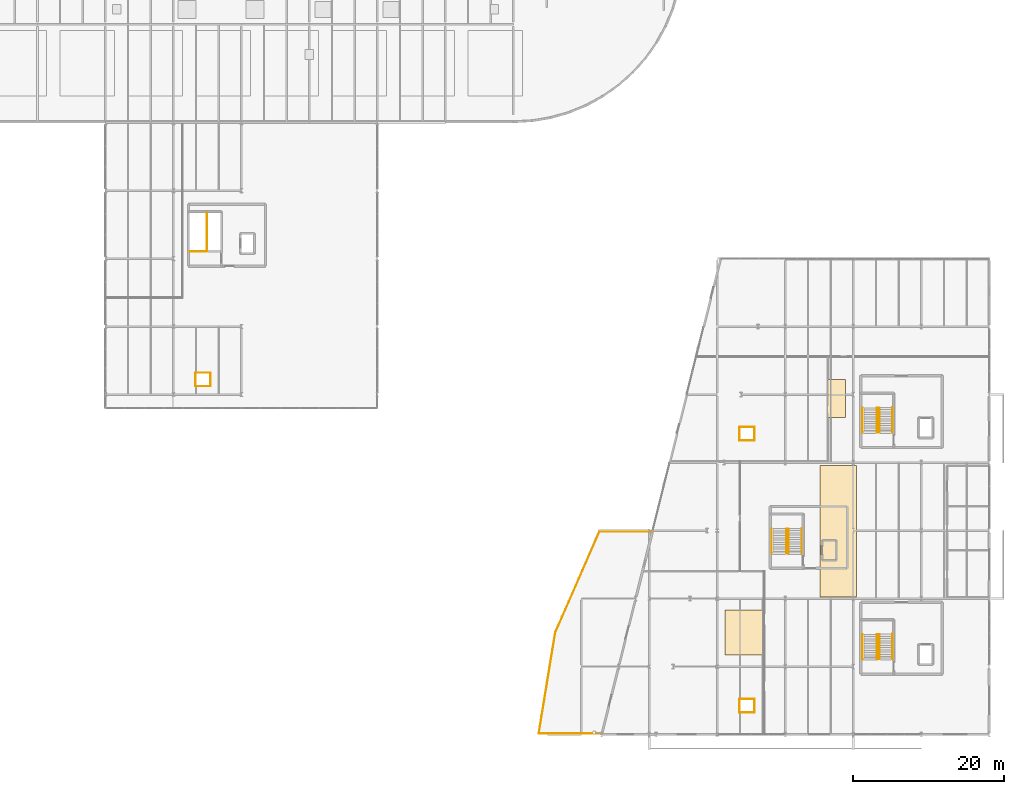
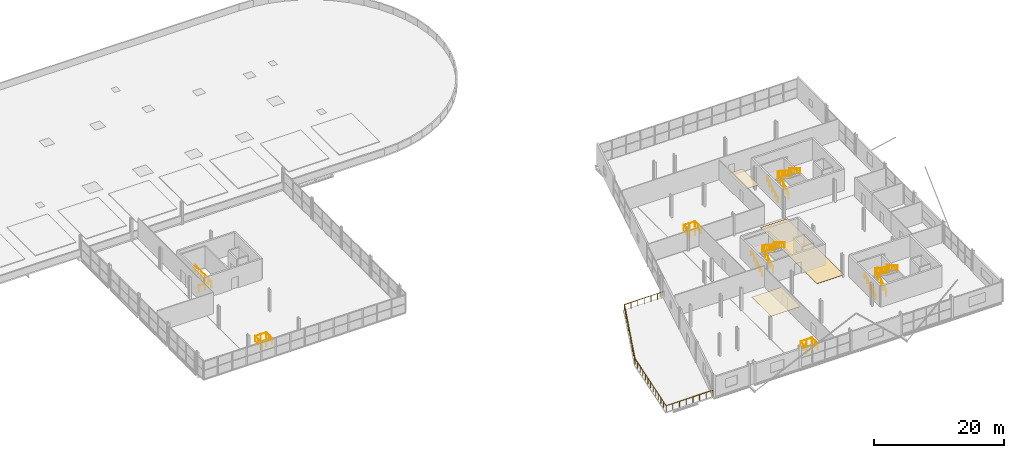
# One storey, part 59 of 59: 17 railings, 3 coverings.
"""IFC4 building model written with IfcOpenShell, lengths in metres."""

from ifc_helpers import new_model, si_unit, direction, frame, origin, origin_2d, place, context, subcontext, project, spatial, polyline, circle, outline, extrude, material, layer, layer_set, type_object, element, save


model = new_model("IFC4")

# Units and contexts
model_context = context("Model", 3, precision=1e-05, world=origin(), true_north=direction((0.0, 1.0)))
body_context = subcontext(model_context, "Body", "Model", "MODEL_VIEW")
ifc_project = project(units=[si_unit("LENGTHUNIT", "METRE"), si_unit("AREAUNIT", "SQUARE_METRE"), si_unit("VOLUMEUNIT", "CUBIC_METRE"), si_unit("PLANEANGLEUNIT", "RADIAN"), si_unit("MASSUNIT", "GRAM", prefix="KILO")], contexts=[model_context])

# Site, building, storey
site_placement = place(None, origin())
site = spatial("IfcSite", under=ifc_project, at=site_placement, CompositionType="ELEMENT")
building_placement = place(site_placement, origin())
building = spatial("IfcBuilding", under=site, at=building_placement, Name="Deido Ridge Mobility Hub", CompositionType="ELEMENT")
storey_placement = place(building_placement, frame((0.0, 0.0, 21.0)))
storey = spatial("IfcBuildingStorey", under=building, at=storey_placement, Name="L05", CompositionType="ELEMENT", Elevation=21.0)

# Coverings
ifc_material_1 = material(Name="Powder-coated aluminium cladding EN AW-3003", Category="aluminium")
ifc_layer_1 = layer(ifc_material_1, 0.02001953125, Name="Powder-coated aluminium cladding EN AW-3003")
ifc_layer_set_1 = layer_set([ifc_layer_1], Name="Powder-coated aluminium cladding EN AW-3003")
covering_type_1 = type_object("IfcCoveringType", Name="COV-CEIL-ALU-20", PredefinedType="CEILING", material=ifc_layer_set_1)
covering_1_placement = place(storey_placement, frame((0.0, 0.0, 2.949951171875)))
element("IfcCovering", 1, at=covering_1_placement, inside=storey, type_object=covering_type_1, Name="Acoustic suspended ceiling CL1 (L05)", PredefinedType="CEILING", context=body_context, shape_type="SweptSolid", body=[
    extrude(outline(polyline([(145.0, 10.5), (150.199951171875, 10.5), (150.199951171875, 16.5), (145.0, 16.5), (145.0, 10.5)])), origin(), (0.0, 0.0, 1.0), 0.02001953125),
])
covering_2_placement = place(storey_placement, frame((0.0, 0.0, 2.949951171875)))
element("IfcCovering", 2, at=covering_2_placement, inside=storey, type_object=covering_type_1, Name="Corridor acoustic ceiling CL1 (L05)", PredefinedType="CEILING", context=body_context, shape_type="SweptSolid", body=[
    extrude(outline(polyline([(158.60009765625, 42.0), (161.0, 42.0), (161.0, 47.0), (158.60009765625, 47.0), (158.60009765625, 42.0)])), origin(), (0.0, 0.0, 1.0), 0.02001953125),
])
ifc_material_2 = material(Name="Epoxy terrazzo floor finish")
ifc_layer_2 = layer(ifc_material_2, 0.02001953125, Name="Epoxy terrazzo floor finish")
ifc_layer_set_2 = layer_set([ifc_layer_2], Name="Epoxy terrazzo floor finish")
covering_type_2 = type_object("IfcCoveringType", Name="COV-FLR-TER-20", PredefinedType="FLOORING", material=ifc_layer_set_2)
covering_3_placement = place(storey_placement, origin())
element("IfcCovering", 3, at=covering_3_placement, inside=storey, type_object=covering_type_2, Name="Epoxy terrazzo corridor flooring FC1 (L05)", PredefinedType="FLOORING", context=body_context, shape_type="SweptSolid", body=[
    extrude(outline(polyline([(157.60009765625, 18.199951171875), (162.39990234375, 18.199951171875), (162.39990234375, 35.60009765625), (157.60009765625, 35.60009765625), (157.60009765625, 18.199951171875)])), origin(), (0.0, 0.0, 1.0), 0.02001953125),
])

# Railings
ifc_material_3 = material(Name="Stainless steel 316", Category="steel")
railing_type_1 = type_object("IfcRailingType", Name="RL-BAL-GLZ-1120", PredefinedType="BALUSTRADE", material=ifc_material_3)
railing_1_placement = place(storey_placement, frame((128.699951171875, 0.14990234375, 0.0)))
element("IfcRailing", 4, at=railing_1_placement, inside=storey, type_object=railing_type_1, Name="L05 angular prow terrace balustrade BL1", PredefinedType="BALUSTRADE", context=body_context, shape_type="SweptSolid", body=[
    extrude(circle(Radius=0.02392578125, at=origin_2d()), frame((0.0, 0.0, 1.09619140625), z_axis=(-1.0, 0.0, 0.0), x_axis=(0.0, -1.0, 0.0)), (0.0, 0.0, 1.0), 8.320068359375),
    extrude(circle(Radius=0.02392578125, at=origin_2d()), frame((-8.320068359375, 0.0, 1.09619140625), z_axis=(0.160451905392, 0.98704365965, 0.0), x_axis=(-0.98704365965, 0.160451905392, 0.0)), (0.0, 0.0, 1.0), 13.525390625),
    extrude(circle(Radius=0.02392578125, at=origin_2d()), frame((-6.14990234375, 13.35009765625, 1.09619140625), z_axis=(0.401347739005, 0.915925757033, 0.0), x_axis=(-0.915925757033, 0.401347739005, 0.0)), (0.0, 0.0, 1.0), 14.575439453125),
    extrude(circle(Radius=0.02392578125, at=origin_2d()), frame((-0.300048828125, 26.7001953125, 1.09619140625), z_axis=(1.0, 0.0, 0.0), x_axis=(0.0, 1.0, 0.0)), (0.0, 0.0, 1.0), 7.050048828125),
    extrude(circle(Radius=0.02099609375, at=origin_2d()), origin(), (0.0, 0.0, 1.0), 1.072021484375),
    extrude(circle(Radius=0.02099609375, at=origin_2d()), frame((-1.1884765625, 0.0, 0.0)), (0.0, 0.0, 1.0), 1.072021484375),
    extrude(circle(Radius=0.02099609375, at=origin_2d()), frame((-2.377197265625, 0.0, 0.0)), (0.0, 0.0, 1.0), 1.072021484375),
    extrude(circle(Radius=0.02099609375, at=origin_2d()), frame((-3.565673828125, 0.0, 0.0)), (0.0, 0.0, 1.0), 1.072021484375),
    extrude(circle(Radius=0.02099609375, at=origin_2d()), frame((-4.75439453125, 0.0, 0.0)), (0.0, 0.0, 1.0), 1.072021484375),
    extrude(circle(Radius=0.02099609375, at=origin_2d()), frame((-5.94287109375, 0.0, 0.0)), (0.0, 0.0, 1.0), 1.072021484375),
    extrude(circle(Radius=0.02099609375, at=origin_2d()), frame((-7.131591796875, 0.0, 0.0)), (0.0, 0.0, 1.0), 1.072021484375),
    extrude(circle(Radius=0.02099609375, at=origin_2d()), frame((-8.320068359375, 0.0, 0.0)), (0.0, 0.0, 1.0), 1.072021484375),
    extrude(circle(Radius=0.02099609375, at=origin_2d()), frame((-8.13916015625, 1.112548828125, 0.0)), (0.0, 0.0, 1.0), 1.072021484375),
    extrude(circle(Radius=0.02099609375, at=origin_2d()), frame((-7.95849609375, 2.22509765625, 0.0)), (0.0, 0.0, 1.0), 1.072021484375),
    extrude(circle(Radius=0.02099609375, at=origin_2d()), frame((-7.777587890625, 3.33740234375, 0.0)), (0.0, 0.0, 1.0), 1.072021484375),
    extrude(circle(Radius=0.02099609375, at=origin_2d()), frame((-7.5966796875, 4.449951171875, 0.0)), (0.0, 0.0, 1.0), 1.072021484375),
    extrude(circle(Radius=0.02099609375, at=origin_2d()), frame((-7.415771484375, 5.5625, 0.0)), (0.0, 0.0, 1.0), 1.072021484375),
    extrude(circle(Radius=0.02099609375, at=origin_2d()), frame((-7.23486328125, 6.675048828125, 0.0)), (0.0, 0.0, 1.0), 1.072021484375),
    extrude(circle(Radius=0.02099609375, at=origin_2d()), frame((-7.05419921875, 7.78759765625, 0.0)), (0.0, 0.0, 1.0), 1.072021484375),
    extrude(circle(Radius=0.02099609375, at=origin_2d()), frame((-6.873291015625, 8.900146484375, 0.0)), (0.0, 0.0, 1.0), 1.072021484375),
    extrude(circle(Radius=0.02099609375, at=origin_2d()), frame((-6.6923828125, 10.0126953125, 0.0)), (0.0, 0.0, 1.0), 1.072021484375),
    extrude(circle(Radius=0.02099609375, at=origin_2d()), frame((-6.51171875, 11.125, 0.0)), (0.0, 0.0, 1.0), 1.072021484375),
    extrude(circle(Radius=0.02099609375, at=origin_2d()), frame((-6.330810546875, 12.237548828125, 0.0)), (0.0, 0.0, 1.0), 1.072021484375),
    extrude(circle(Radius=0.02099609375, at=origin_2d()), frame((-6.14990234375, 13.35009765625, 0.0)), (0.0, 0.0, 1.0), 1.072021484375),
    extrude(circle(Radius=0.02099609375, at=origin_2d()), frame((-5.699951171875, 14.376953125, 0.0)), (0.0, 0.0, 1.0), 1.072021484375),
    extrude(circle(Radius=0.02099609375, at=origin_2d()), frame((-5.25, 15.404052734375, 0.0)), (0.0, 0.0, 1.0), 1.072021484375),
    extrude(circle(Radius=0.02099609375, at=origin_2d()), frame((-4.800048828125, 16.430908203125, 0.0)), (0.0, 0.0, 1.0), 1.072021484375),
    extrude(circle(Radius=0.02099609375, at=origin_2d()), frame((-4.349853515625, 17.457763671875, 0.0)), (0.0, 0.0, 1.0), 1.072021484375),
    extrude(circle(Radius=0.02099609375, at=origin_2d()), frame((-3.89990234375, 18.48486328125, 0.0)), (0.0, 0.0, 1.0), 1.072021484375),
    extrude(circle(Radius=0.02099609375, at=origin_2d()), frame((-3.449951171875, 19.51171875, 0.0)), (0.0, 0.0, 1.0), 1.072021484375),
    extrude(circle(Radius=0.02099609375, at=origin_2d()), frame((-3.0, 20.53857421875, 0.0)), (0.0, 0.0, 1.0), 1.072021484375),
    extrude(circle(Radius=0.02099609375, at=origin_2d()), frame((-2.550048828125, 21.5654296875, 0.0)), (0.0, 0.0, 1.0), 1.072021484375),
    extrude(circle(Radius=0.02099609375, at=origin_2d()), frame((-2.10009765625, 22.592529296875, 0.0)), (0.0, 0.0, 1.0), 1.072021484375),
    extrude(circle(Radius=0.02099609375, at=origin_2d()), frame((-1.64990234375, 23.619384765625, 0.0)), (0.0, 0.0, 1.0), 1.072021484375),
    extrude(circle(Radius=0.02099609375, at=origin_2d()), frame((-1.199951171875, 24.646240234375, 0.0)), (0.0, 0.0, 1.0), 1.072021484375),
    extrude(circle(Radius=0.02099609375, at=origin_2d()), frame((-0.75, 25.67333984375, 0.0)), (0.0, 0.0, 1.0), 1.072021484375),
    extrude(circle(Radius=0.02099609375, at=origin_2d()), frame((-0.300048828125, 26.7001953125, 0.0)), (0.0, 0.0, 1.0), 1.072021484375),
    extrude(circle(Radius=0.02099609375, at=origin_2d()), frame((0.875, 26.7001953125, 0.0)), (0.0, 0.0, 1.0), 1.072021484375),
    extrude(circle(Radius=0.02099609375, at=origin_2d()), frame((2.050048828125, 26.7001953125, 0.0)), (0.0, 0.0, 1.0), 1.072021484375),
    extrude(circle(Radius=0.02099609375, at=origin_2d()), frame((3.22509765625, 26.7001953125, 0.0)), (0.0, 0.0, 1.0), 1.072021484375),
    extrude(circle(Radius=0.02099609375, at=origin_2d()), frame((4.39990234375, 26.7001953125, 0.0)), (0.0, 0.0, 1.0), 1.072021484375),
    extrude(circle(Radius=0.02099609375, at=origin_2d()), frame((5.574951171875, 26.7001953125, 0.0)), (0.0, 0.0, 1.0), 1.072021484375),
    extrude(circle(Radius=0.02099609375, at=origin_2d()), frame((6.75, 26.7001953125, 0.0)), (0.0, 0.0, 1.0), 1.072021484375),
])
ifc_material_4 = material(Name="Galvanised steel work", Category="steel")
railing_type_2 = type_object("IfcRailingType", Name="RL-GRD-EXT-1150", PredefinedType="GUARDRAIL", material=ifc_material_4)
railing_2_placement = place(storey_placement, frame((74.925048828125, 46.10009765625, 0.0)))
element("IfcRailing", 5, at=railing_2_placement, inside=storey, type_object=railing_type_2, Name="Service riser shaft guard (L05) A", PredefinedType="GUARDRAIL", context=body_context, shape_type="SweptSolid", body=[
    extrude(circle(Radius=0.02392578125, at=origin_2d()), frame((0.0, 0.0, 1.1259765625), z_axis=(1.0, 0.0, 0.0), x_axis=(0.0, 1.0, 0.0)), (0.0, 0.0, 1.0), 2.0),
    extrude(circle(Radius=0.02392578125, at=origin_2d()), frame((2.0, 0.0, 1.1259765625), z_axis=(0.0, 1.0, 0.0), x_axis=(-1.0, 0.0, 0.0)), (0.0, 0.0, 1.0), 1.739990234375),
    extrude(circle(Radius=0.02099609375, at=origin_2d()), origin(), (0.0, 0.0, 1.0), 1.101806640625),
    extrude(circle(Radius=0.02099609375, at=origin_2d()), frame((1.0, 0.0, 0.0)), (0.0, 0.0, 1.0), 1.101806640625),
    extrude(circle(Radius=0.02099609375, at=origin_2d()), frame((2.0, 0.0, 0.0)), (0.0, 0.0, 1.0), 1.101806640625),
    extrude(circle(Radius=0.02099609375, at=origin_2d()), frame((2.0, 0.8701171875, 0.0)), (0.0, 0.0, 1.0), 1.101806640625),
    extrude(circle(Radius=0.02099609375, at=origin_2d()), frame((2.0, 1.739990234375, 0.0)), (0.0, 0.0, 1.0), 1.101806640625),
])
railing_3_placement = place(storey_placement, frame((76.925048828125, 47.89990234375, 0.0)))
element("IfcRailing", 6, at=railing_3_placement, inside=storey, type_object=railing_type_2, Name="Service riser shaft guard (L05) B", PredefinedType="GUARDRAIL", context=body_context, shape_type="SweptSolid", body=[
    extrude(circle(Radius=0.02392578125, at=origin_2d()), frame((0.0, 0.0, 1.1259765625), z_axis=(-1.0, 0.0, 0.0), x_axis=(0.0, -1.0, 0.0)), (0.0, 0.0, 1.0), 2.0),
    extrude(circle(Radius=0.02392578125, at=origin_2d()), frame((-2.0, 0.0, 1.1259765625), z_axis=(0.0, -1.0, 0.0), x_axis=(1.0, 0.0, 0.0)), (0.0, 0.0, 1.0), 1.739990234375),
    extrude(circle(Radius=0.02099609375, at=origin_2d()), origin(), (0.0, 0.0, 1.0), 1.101806640625),
    extrude(circle(Radius=0.02099609375, at=origin_2d()), frame((-1.0, 0.0, 0.0)), (0.0, 0.0, 1.0), 1.101806640625),
    extrude(circle(Radius=0.02099609375, at=origin_2d()), frame((-2.0, 0.0, 0.0)), (0.0, 0.0, 1.0), 1.101806640625),
    extrude(circle(Radius=0.02099609375, at=origin_2d()), frame((-2.0, -0.8701171875, 0.0)), (0.0, 0.0, 1.0), 1.101806640625),
    extrude(circle(Radius=0.02099609375, at=origin_2d()), frame((-2.0, -1.739990234375, 0.0)), (0.0, 0.0, 1.0), 1.101806640625),
])
railing_4_placement = place(storey_placement, frame((146.925048828125, 2.89990234375, 0.0)))
element("IfcRailing", 7, at=railing_4_placement, inside=storey, type_object=railing_type_2, Name="Service riser shaft guard (L05) A", PredefinedType="GUARDRAIL", context=body_context, shape_type="SweptSolid", body=[
    extrude(circle(Radius=0.02392578125, at=origin_2d()), frame((0.0, 0.0, 1.1259765625), z_axis=(1.0, 0.0, 0.0), x_axis=(0.0, 1.0, 0.0)), (0.0, 0.0, 1.0), 2.0),
    extrude(circle(Radius=0.02392578125, at=origin_2d()), frame((2.0, 0.0, 1.1259765625), z_axis=(0.0, 1.0, 0.0), x_axis=(-1.0, 0.0, 0.0)), (0.0, 0.0, 1.0), 1.739990234375),
    extrude(circle(Radius=0.02099609375, at=origin_2d()), origin(), (0.0, 0.0, 1.0), 1.101806640625),
    extrude(circle(Radius=0.02099609375, at=origin_2d()), frame((1.0, 0.0, 0.0)), (0.0, 0.0, 1.0), 1.101806640625),
    extrude(circle(Radius=0.02099609375, at=origin_2d()), frame((2.0, 0.0, 0.0)), (0.0, 0.0, 1.0), 1.101806640625),
    extrude(circle(Radius=0.02099609375, at=origin_2d()), frame((2.0, 0.8701171875, 0.0)), (0.0, 0.0, 1.0), 1.101806640625),
    extrude(circle(Radius=0.02099609375, at=origin_2d()), frame((2.0, 1.739990234375, 0.0)), (0.0, 0.0, 1.0), 1.101806640625),
])
railing_5_placement = place(storey_placement, frame((148.925048828125, 4.699951171875, 0.0)))
element("IfcRailing", 8, at=railing_5_placement, inside=storey, type_object=railing_type_2, Name="Service riser shaft guard (L05) B", PredefinedType="GUARDRAIL", context=body_context, shape_type="SweptSolid", body=[
    extrude(circle(Radius=0.02392578125, at=origin_2d()), frame((0.0, 0.0, 1.1259765625), z_axis=(-1.0, 0.0, 0.0), x_axis=(0.0, -1.0, 0.0)), (0.0, 0.0, 1.0), 2.0),
    extrude(circle(Radius=0.02392578125, at=origin_2d()), frame((-2.0, 0.0, 1.1259765625), z_axis=(0.0, -1.0, 0.0), x_axis=(1.0, 0.0, 0.0)), (0.0, 0.0, 1.0), 1.739990234375),
    extrude(circle(Radius=0.02099609375, at=origin_2d()), origin(), (0.0, 0.0, 1.0), 1.101806640625),
    extrude(circle(Radius=0.02099609375, at=origin_2d()), frame((-1.0, 0.0, 0.0)), (0.0, 0.0, 1.0), 1.101806640625),
    extrude(circle(Radius=0.02099609375, at=origin_2d()), frame((-2.0, 0.0, 0.0)), (0.0, 0.0, 1.0), 1.101806640625),
    extrude(circle(Radius=0.02099609375, at=origin_2d()), frame((-2.0, -0.8701171875, 0.0)), (0.0, 0.0, 1.0), 1.101806640625),
    extrude(circle(Radius=0.02099609375, at=origin_2d()), frame((-2.0, -1.739990234375, 0.0)), (0.0, 0.0, 1.0), 1.101806640625),
])
railing_6_placement = place(storey_placement, frame((146.925048828125, 38.89990234375, 0.0)))
element("IfcRailing", 9, at=railing_6_placement, inside=storey, type_object=railing_type_2, Name="Service riser shaft guard (L05) A", PredefinedType="GUARDRAIL", context=body_context, shape_type="SweptSolid", body=[
    extrude(circle(Radius=0.02392578125, at=origin_2d()), frame((0.0, 0.0, 1.1259765625), z_axis=(1.0, 0.0, 0.0), x_axis=(0.0, 1.0, 0.0)), (0.0, 0.0, 1.0), 2.0),
    extrude(circle(Radius=0.02392578125, at=origin_2d()), frame((2.0, 0.0, 1.1259765625), z_axis=(0.0, 1.0, 0.0), x_axis=(-1.0, 0.0, 0.0)), (0.0, 0.0, 1.0), 1.739990234375),
    extrude(circle(Radius=0.02099609375, at=origin_2d()), origin(), (0.0, 0.0, 1.0), 1.101806640625),
    extrude(circle(Radius=0.02099609375, at=origin_2d()), frame((1.0, 0.0, 0.0)), (0.0, 0.0, 1.0), 1.101806640625),
    extrude(circle(Radius=0.02099609375, at=origin_2d()), frame((2.0, 0.0, 0.0)), (0.0, 0.0, 1.0), 1.101806640625),
    extrude(circle(Radius=0.02099609375, at=origin_2d()), frame((2.0, 0.8701171875, 0.0)), (0.0, 0.0, 1.0), 1.101806640625),
    extrude(circle(Radius=0.02099609375, at=origin_2d()), frame((2.0, 1.739990234375, 0.0)), (0.0, 0.0, 1.0), 1.101806640625),
])
railing_7_placement = place(storey_placement, frame((148.925048828125, 40.699951171875, 0.0)))
element("IfcRailing", 10, at=railing_7_placement, inside=storey, type_object=railing_type_2, Name="Service riser shaft guard (L05) B", PredefinedType="GUARDRAIL", context=body_context, shape_type="SweptSolid", body=[
    extrude(circle(Radius=0.02392578125, at=origin_2d()), frame((0.0, 0.0, 1.1259765625), z_axis=(-1.0, 0.0, 0.0), x_axis=(0.0, -1.0, 0.0)), (0.0, 0.0, 1.0), 2.0),
    extrude(circle(Radius=0.02392578125, at=origin_2d()), frame((-2.0, 0.0, 1.1259765625), z_axis=(0.0, -1.0, 0.0), x_axis=(1.0, 0.0, 0.0)), (0.0, 0.0, 1.0), 1.739990234375),
    extrude(circle(Radius=0.02099609375, at=origin_2d()), origin(), (0.0, 0.0, 1.0), 1.101806640625),
    extrude(circle(Radius=0.02099609375, at=origin_2d()), frame((-1.0, 0.0, 0.0)), (0.0, 0.0, 1.0), 1.101806640625),
    extrude(circle(Radius=0.02099609375, at=origin_2d()), frame((-2.0, 0.0, 0.0)), (0.0, 0.0, 1.0), 1.101806640625),
    extrude(circle(Radius=0.02099609375, at=origin_2d()), frame((-2.0, -0.8701171875, 0.0)), (0.0, 0.0, 1.0), 1.101806640625),
    extrude(circle(Radius=0.02099609375, at=origin_2d()), frame((-2.0, -1.739990234375, 0.0)), (0.0, 0.0, 1.0), 1.101806640625),
])
railing_type_3 = type_object("IfcRailingType", Name="RL-STAIR-GRD-1150", PredefinedType="GUARDRAIL", material=ifc_material_4)
railing_8_placement = place(storey_placement, frame((165.14990234375, 9.949951171875, 0.175048828125)))
element("IfcRailing", 11, at=railing_8_placement, inside=storey, type_object=railing_type_3, Name="ST1 inner well guard (L05)", PredefinedType="GUARDRAIL", context=body_context, shape_type="SweptSolid", body=[
    extrude(circle(Radius=0.02392578125, at=origin_2d()), frame((0.0, 0.0, 1.1259765625), z_axis=(0.0, 0.863776583165, 0.503874998761), x_axis=(-1.0, 0.0, 0.0)), (0.0, 0.0, 1.0), 3.820556640625),
    extrude(circle(Radius=0.02392578125, at=origin_2d()), frame((0.0, 3.300048828125, 3.05078125), z_axis=(1.0, 0.0, 0.0), x_axis=(0.0, 1.0, 0.0)), (0.0, 0.0, 1.0), 0.300048828125),
    extrude(circle(Radius=0.02392578125, at=origin_2d()), frame((0.300048828125, 3.300048828125, 3.05078125), z_axis=(0.0, -0.839933924917, 0.542688678501), x_axis=(1.0, 0.0, 0.0)), (0.0, 0.0, 1.0), 3.869384765625),
    extrude(circle(Radius=0.02099609375, at=origin_2d()), origin(), (0.0, 0.0, 1.0), 1.101806640625),
    extrude(circle(Radius=0.02099609375, at=origin_2d()), frame((0.0, 0.824951171875, 0.481201171875)), (0.0, 0.0, 1.0), 1.101806640625),
    extrude(circle(Radius=0.02099609375, at=origin_2d()), frame((0.0, 1.64990234375, 0.96240234375)), (0.0, 0.0, 1.0), 1.101806640625),
    extrude(circle(Radius=0.02099609375, at=origin_2d()), frame((0.0, 2.47509765625, 1.44384765625)), (0.0, 0.0, 1.0), 1.101806640625),
    extrude(circle(Radius=0.02099609375, at=origin_2d()), frame((0.0, 3.300048828125, 1.925048828125)), (0.0, 0.0, 1.0), 1.101806640625),
    extrude(circle(Radius=0.02099609375, at=origin_2d()), frame((0.300048828125, 3.300048828125, 1.925048828125)), (0.0, 0.0, 1.0), 1.101806640625),
    extrude(circle(Radius=0.02099609375, at=origin_2d()), frame((0.300048828125, 2.487548828125, 2.449951171875)), (0.0, 0.0, 1.0), 1.101806640625),
    extrude(circle(Radius=0.02099609375, at=origin_2d()), frame((0.300048828125, 1.675048828125, 2.97509765625)), (0.0, 0.0, 1.0), 1.101806640625),
    extrude(circle(Radius=0.02099609375, at=origin_2d()), frame((0.300048828125, 0.862548828125, 3.5)), (0.0, 0.0, 1.0), 1.101806640625),
    extrude(circle(Radius=0.02099609375, at=origin_2d()), frame((0.300048828125, 0.050048828125, 4.02490234375)), (0.0, 0.0, 1.0), 1.101806640625),
])
railing_9_placement = place(storey_placement, frame((165.14990234375, 39.949951171875, 0.175048828125)))
element("IfcRailing", 12, at=railing_9_placement, inside=storey, type_object=railing_type_3, Name="ST2 inner well guard (L05)", PredefinedType="GUARDRAIL", context=body_context, shape_type="SweptSolid", body=[
    extrude(circle(Radius=0.02392578125, at=origin_2d()), frame((0.0, 0.0, 1.1259765625), z_axis=(0.0, 0.863776583165, 0.503874998761), x_axis=(-1.0, 0.0, 0.0)), (0.0, 0.0, 1.0), 3.820556640625),
    extrude(circle(Radius=0.02392578125, at=origin_2d()), frame((0.0, 3.300048828125, 3.05078125), z_axis=(1.0, 0.0, 0.0), x_axis=(0.0, 1.0, 0.0)), (0.0, 0.0, 1.0), 0.300048828125),
    extrude(circle(Radius=0.02392578125, at=origin_2d()), frame((0.300048828125, 3.300048828125, 3.05078125), z_axis=(0.0, -0.839933924917, 0.542688678501), x_axis=(1.0, 0.0, 0.0)), (0.0, 0.0, 1.0), 3.869384765625),
    extrude(circle(Radius=0.02099609375, at=origin_2d()), origin(), (0.0, 0.0, 1.0), 1.101806640625),
    extrude(circle(Radius=0.02099609375, at=origin_2d()), frame((0.0, 0.824951171875, 0.481201171875)), (0.0, 0.0, 1.0), 1.101806640625),
    extrude(circle(Radius=0.02099609375, at=origin_2d()), frame((0.0, 1.64990234375, 0.96240234375)), (0.0, 0.0, 1.0), 1.101806640625),
    extrude(circle(Radius=0.02099609375, at=origin_2d()), frame((0.0, 2.47509765625, 1.44384765625)), (0.0, 0.0, 1.0), 1.101806640625),
    extrude(circle(Radius=0.02099609375, at=origin_2d()), frame((0.0, 3.300048828125, 1.925048828125)), (0.0, 0.0, 1.0), 1.101806640625),
    extrude(circle(Radius=0.02099609375, at=origin_2d()), frame((0.300048828125, 3.300048828125, 1.925048828125)), (0.0, 0.0, 1.0), 1.101806640625),
    extrude(circle(Radius=0.02099609375, at=origin_2d()), frame((0.300048828125, 2.487548828125, 2.449951171875)), (0.0, 0.0, 1.0), 1.101806640625),
    extrude(circle(Radius=0.02099609375, at=origin_2d()), frame((0.300048828125, 1.675048828125, 2.97509765625)), (0.0, 0.0, 1.0), 1.101806640625),
    extrude(circle(Radius=0.02099609375, at=origin_2d()), frame((0.300048828125, 0.862548828125, 3.5)), (0.0, 0.0, 1.0), 1.101806640625),
    extrude(circle(Radius=0.02099609375, at=origin_2d()), frame((0.300048828125, 0.050048828125, 4.02490234375)), (0.0, 0.0, 1.0), 1.101806640625),
])
railing_10_placement = place(storey_placement, frame((153.14990234375, 23.949951171875, 0.175048828125)))
element("IfcRailing", 13, at=railing_10_placement, inside=storey, type_object=railing_type_3, Name="ST3 inner well guard (L05)", PredefinedType="GUARDRAIL", context=body_context, shape_type="SweptSolid", body=[
    extrude(circle(Radius=0.02392578125, at=origin_2d()), frame((0.0, 0.0, 1.1259765625), z_axis=(0.0, 0.863776583165, 0.503874998761), x_axis=(-1.0, 0.0, 0.0)), (0.0, 0.0, 1.0), 3.820556640625),
    extrude(circle(Radius=0.02392578125, at=origin_2d()), frame((0.0, 3.300048828125, 3.05078125), z_axis=(1.0, 0.0, 0.0), x_axis=(0.0, 1.0, 0.0)), (0.0, 0.0, 1.0), 0.300048828125),
    extrude(circle(Radius=0.02392578125, at=origin_2d()), frame((0.300048828125, 3.300048828125, 3.05078125), z_axis=(0.0, -0.839933924917, 0.542688678501), x_axis=(1.0, 0.0, 0.0)), (0.0, 0.0, 1.0), 3.869384765625),
    extrude(circle(Radius=0.02099609375, at=origin_2d()), origin(), (0.0, 0.0, 1.0), 1.101806640625),
    extrude(circle(Radius=0.02099609375, at=origin_2d()), frame((0.0, 0.824951171875, 0.481201171875)), (0.0, 0.0, 1.0), 1.101806640625),
    extrude(circle(Radius=0.02099609375, at=origin_2d()), frame((0.0, 1.64990234375, 0.96240234375)), (0.0, 0.0, 1.0), 1.101806640625),
    extrude(circle(Radius=0.02099609375, at=origin_2d()), frame((0.0, 2.47509765625, 1.44384765625)), (0.0, 0.0, 1.0), 1.101806640625),
    extrude(circle(Radius=0.02099609375, at=origin_2d()), frame((0.0, 3.300048828125, 1.925048828125)), (0.0, 0.0, 1.0), 1.101806640625),
    extrude(circle(Radius=0.02099609375, at=origin_2d()), frame((0.300048828125, 3.300048828125, 1.925048828125)), (0.0, 0.0, 1.0), 1.101806640625),
    extrude(circle(Radius=0.02099609375, at=origin_2d()), frame((0.300048828125, 2.487548828125, 2.449951171875)), (0.0, 0.0, 1.0), 1.101806640625),
    extrude(circle(Radius=0.02099609375, at=origin_2d()), frame((0.300048828125, 1.675048828125, 2.97509765625)), (0.0, 0.0, 1.0), 1.101806640625),
    extrude(circle(Radius=0.02099609375, at=origin_2d()), frame((0.300048828125, 0.862548828125, 3.5)), (0.0, 0.0, 1.0), 1.101806640625),
    extrude(circle(Radius=0.02099609375, at=origin_2d()), frame((0.300048828125, 0.050048828125, 4.02490234375)), (0.0, 0.0, 1.0), 1.101806640625),
])
railing_11_placement = place(storey_placement, frame((74.179931640625, 63.9599609375, 0.0)))
element("IfcRailing", 14, at=railing_11_placement, inside=storey, type_object=railing_type_3, Name="ST4 top landing well guard (L05)", PredefinedType="GUARDRAIL", context=body_context, shape_type="SweptSolid", body=[
    extrude(circle(Radius=0.02392578125, at=origin_2d()), frame((0.0, 0.0, 1.1259765625), z_axis=(1.0, 0.0, 0.0), x_axis=(0.0, 1.0, 0.0)), (0.0, 0.0, 1.0), 2.260009765625),
    extrude(circle(Radius=0.02392578125, at=origin_2d()), frame((2.260009765625, 0.0, 1.1259765625), z_axis=(0.0, 1.0, 0.0), x_axis=(-1.0, 0.0, 0.0)), (0.0, 0.0, 1.0), 5.10009765625),
    extrude(circle(Radius=0.02099609375, at=origin_2d()), origin(), (0.0, 0.0, 1.0), 1.101806640625),
    extrude(circle(Radius=0.02099609375, at=origin_2d()), frame((1.1298828125, 0.0, 0.0)), (0.0, 0.0, 1.0), 1.101806640625),
    extrude(circle(Radius=0.02099609375, at=origin_2d()), frame((2.260009765625, 0.0, 0.0)), (0.0, 0.0, 1.0), 1.101806640625),
    extrude(circle(Radius=0.02099609375, at=origin_2d()), frame((2.260009765625, 1.02001953125, 0.0)), (0.0, 0.0, 1.0), 1.101806640625),
    extrude(circle(Radius=0.02099609375, at=origin_2d()), frame((2.260009765625, 2.0400390625, 0.0)), (0.0, 0.0, 1.0), 1.101806640625),
    extrude(circle(Radius=0.02099609375, at=origin_2d()), frame((2.260009765625, 3.06005859375, 0.0)), (0.0, 0.0, 1.0), 1.101806640625),
    extrude(circle(Radius=0.02099609375, at=origin_2d()), frame((2.260009765625, 4.080078125, 0.0)), (0.0, 0.0, 1.0), 1.101806640625),
    extrude(circle(Radius=0.02099609375, at=origin_2d()), frame((2.260009765625, 5.10009765625, 0.0)), (0.0, 0.0, 1.0), 1.101806640625),
])
railing_type_4 = type_object("IfcRailingType", Name="RL-STAIR-HND-900", PredefinedType="HANDRAIL", material=ifc_material_3)
railing_12_placement = place(storey_placement, frame((163.222412109375, 9.949951171875, 0.175048828125)))
element("IfcRailing", 15, at=railing_12_placement, inside=storey, type_object=railing_type_4, Name="ST1 flight 1 handrail (L05)", PredefinedType="HANDRAIL", context=body_context, shape_type="SweptSolid", body=[
    extrude(circle(Radius=0.02392578125, at=origin_2d()), frame((0.0, 0.0, 0.8759765625), z_axis=(0.0, 0.863776583165, 0.503874998761), x_axis=(-1.0, 0.0, 0.0)), (0.0, 0.0, 1.0), 3.820556640625),
    extrude(circle(Radius=0.02099609375, at=origin_2d()), origin(), (0.0, 0.0, 1.0), 0.851806640625),
    extrude(circle(Radius=0.02099609375, at=origin_2d()), frame((0.0, 0.824951171875, 0.481201171875)), (0.0, 0.0, 1.0), 0.851806640625),
    extrude(circle(Radius=0.02099609375, at=origin_2d()), frame((0.0, 1.64990234375, 0.96240234375)), (0.0, 0.0, 1.0), 0.851806640625),
    extrude(circle(Radius=0.02099609375, at=origin_2d()), frame((0.0, 2.47509765625, 1.44384765625)), (0.0, 0.0, 1.0), 0.851806640625),
    extrude(circle(Radius=0.02099609375, at=origin_2d()), frame((0.0, 3.300048828125, 1.925048828125)), (0.0, 0.0, 1.0), 0.851806640625),
])
railing_13_placement = place(storey_placement, frame((167.175048828125, 13.300048828125, 2.27490234375)))
element("IfcRailing", 16, at=railing_13_placement, inside=storey, type_object=railing_type_4, Name="ST1 flight 2 handrail (L05)", PredefinedType="HANDRAIL", context=body_context, shape_type="SweptSolid", body=[
    extrude(circle(Radius=0.02392578125, at=origin_2d()), frame((0.0, 0.0, 0.8759765625), z_axis=(0.0, -0.863776583165, 0.503874998761), x_axis=(1.0, 0.0, 0.0)), (0.0, 0.0, 1.0), 3.820556640625),
    extrude(circle(Radius=0.02099609375, at=origin_2d()), origin(), (0.0, 0.0, 1.0), 0.851806640625),
    extrude(circle(Radius=0.02099609375, at=origin_2d()), frame((0.0, -0.824951171875, 0.481201171875)), (0.0, 0.0, 1.0), 0.851806640625),
    extrude(circle(Radius=0.02099609375, at=origin_2d()), frame((0.0, -1.64990234375, 0.96240234375)), (0.0, 0.0, 1.0), 0.851806640625),
    extrude(circle(Radius=0.02099609375, at=origin_2d()), frame((0.0, -2.47509765625, 1.44384765625)), (0.0, 0.0, 1.0), 0.851806640625),
    extrude(circle(Radius=0.02099609375, at=origin_2d()), frame((0.0, -3.300048828125, 1.925048828125)), (0.0, 0.0, 1.0), 0.851806640625),
])
railing_14_placement = place(storey_placement, frame((163.222412109375, 39.949951171875, 0.175048828125)))
element("IfcRailing", 17, at=railing_14_placement, inside=storey, type_object=railing_type_4, Name="ST2 flight 1 handrail (L05)", PredefinedType="HANDRAIL", context=body_context, shape_type="SweptSolid", body=[
    extrude(circle(Radius=0.02392578125, at=origin_2d()), frame((0.0, 0.0, 0.8759765625), z_axis=(0.0, 0.863776583165, 0.503874998761), x_axis=(-1.0, 0.0, 0.0)), (0.0, 0.0, 1.0), 3.820556640625),
    extrude(circle(Radius=0.02099609375, at=origin_2d()), origin(), (0.0, 0.0, 1.0), 0.851806640625),
    extrude(circle(Radius=0.02099609375, at=origin_2d()), frame((0.0, 0.824951171875, 0.481201171875)), (0.0, 0.0, 1.0), 0.851806640625),
    extrude(circle(Radius=0.02099609375, at=origin_2d()), frame((0.0, 1.64990234375, 0.96240234375)), (0.0, 0.0, 1.0), 0.851806640625),
    extrude(circle(Radius=0.02099609375, at=origin_2d()), frame((0.0, 2.47509765625, 1.44384765625)), (0.0, 0.0, 1.0), 0.851806640625),
    extrude(circle(Radius=0.02099609375, at=origin_2d()), frame((0.0, 3.300048828125, 1.925048828125)), (0.0, 0.0, 1.0), 0.851806640625),
])
railing_15_placement = place(storey_placement, frame((167.175048828125, 43.300048828125, 2.27490234375)))
element("IfcRailing", 18, at=railing_15_placement, inside=storey, type_object=railing_type_4, Name="ST2 flight 2 handrail (L05)", PredefinedType="HANDRAIL", context=body_context, shape_type="SweptSolid", body=[
    extrude(circle(Radius=0.02392578125, at=origin_2d()), frame((0.0, 0.0, 0.8759765625), z_axis=(0.0, -0.863776583165, 0.503874998761), x_axis=(1.0, 0.0, 0.0)), (0.0, 0.0, 1.0), 3.820556640625),
    extrude(circle(Radius=0.02099609375, at=origin_2d()), origin(), (0.0, 0.0, 1.0), 0.851806640625),
    extrude(circle(Radius=0.02099609375, at=origin_2d()), frame((0.0, -0.824951171875, 0.481201171875)), (0.0, 0.0, 1.0), 0.851806640625),
    extrude(circle(Radius=0.02099609375, at=origin_2d()), frame((0.0, -1.64990234375, 0.96240234375)), (0.0, 0.0, 1.0), 0.851806640625),
    extrude(circle(Radius=0.02099609375, at=origin_2d()), frame((0.0, -2.47509765625, 1.44384765625)), (0.0, 0.0, 1.0), 0.851806640625),
    extrude(circle(Radius=0.02099609375, at=origin_2d()), frame((0.0, -3.300048828125, 1.925048828125)), (0.0, 0.0, 1.0), 0.851806640625),
])
railing_16_placement = place(storey_placement, frame((151.2099609375, 23.949951171875, 0.175048828125)))
element("IfcRailing", 19, at=railing_16_placement, inside=storey, type_object=railing_type_4, Name="ST3 flight 1 handrail (L05)", PredefinedType="HANDRAIL", context=body_context, shape_type="SweptSolid", body=[
    extrude(circle(Radius=0.02392578125, at=origin_2d()), frame((0.0, 0.0, 0.8759765625), z_axis=(0.0, 0.863776583165, 0.503874998761), x_axis=(-1.0, 0.0, 0.0)), (0.0, 0.0, 1.0), 3.820556640625),
    extrude(circle(Radius=0.02099609375, at=origin_2d()), origin(), (0.0, 0.0, 1.0), 0.851806640625),
    extrude(circle(Radius=0.02099609375, at=origin_2d()), frame((0.0, 0.824951171875, 0.481201171875)), (0.0, 0.0, 1.0), 0.851806640625),
    extrude(circle(Radius=0.02099609375, at=origin_2d()), frame((0.0, 1.64990234375, 0.96240234375)), (0.0, 0.0, 1.0), 0.851806640625),
    extrude(circle(Radius=0.02099609375, at=origin_2d()), frame((0.0, 2.47509765625, 1.44384765625)), (0.0, 0.0, 1.0), 0.851806640625),
    extrude(circle(Radius=0.02099609375, at=origin_2d()), frame((0.0, 3.300048828125, 1.925048828125)), (0.0, 0.0, 1.0), 0.851806640625),
])
railing_17_placement = place(storey_placement, frame((155.175048828125, 27.300048828125, 2.27490234375)))
element("IfcRailing", 20, at=railing_17_placement, inside=storey, type_object=railing_type_4, Name="ST3 flight 2 handrail (L05)", PredefinedType="HANDRAIL", context=body_context, shape_type="SweptSolid", body=[
    extrude(circle(Radius=0.02392578125, at=origin_2d()), frame((0.0, 0.0, 0.8759765625), z_axis=(0.0, -0.863776583165, 0.503874998761), x_axis=(1.0, 0.0, 0.0)), (0.0, 0.0, 1.0), 3.820556640625),
    extrude(circle(Radius=0.02099609375, at=origin_2d()), origin(), (0.0, 0.0, 1.0), 0.851806640625),
    extrude(circle(Radius=0.02099609375, at=origin_2d()), frame((0.0, -0.824951171875, 0.481201171875)), (0.0, 0.0, 1.0), 0.851806640625),
    extrude(circle(Radius=0.02099609375, at=origin_2d()), frame((0.0, -1.64990234375, 0.96240234375)), (0.0, 0.0, 1.0), 0.851806640625),
    extrude(circle(Radius=0.02099609375, at=origin_2d()), frame((0.0, -2.47509765625, 1.44384765625)), (0.0, 0.0, 1.0), 0.851806640625),
    extrude(circle(Radius=0.02099609375, at=origin_2d()), frame((0.0, -3.300048828125, 1.925048828125)), (0.0, 0.0, 1.0), 0.851806640625),
])

save(model, "model.ifc")
